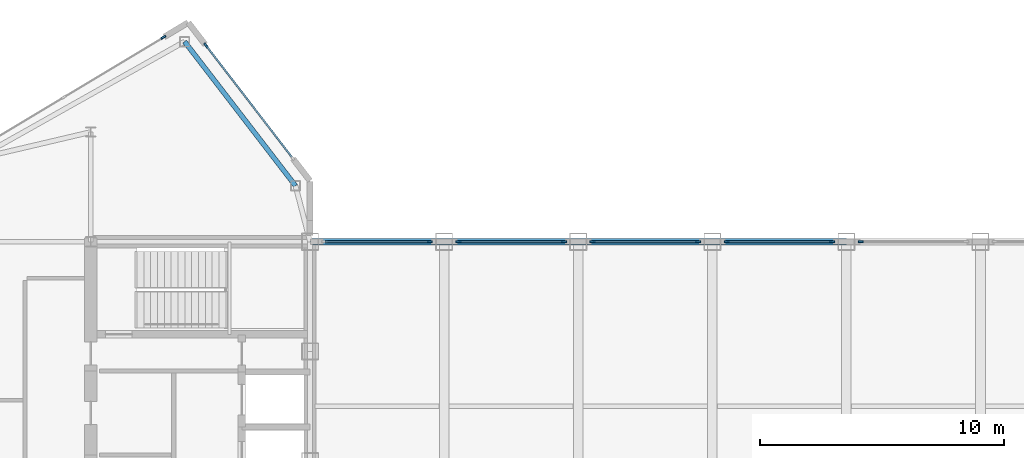
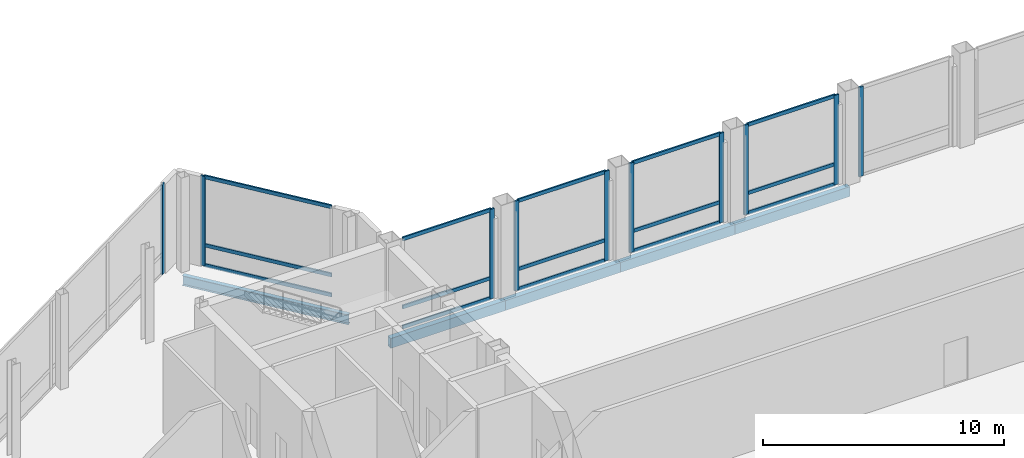
# One storey, part 12 of 29: 25 members, 5 beams, 7 elements without a shape of their own.
"""IFC4 building model written with IfcOpenShell, lengths in metres."""

from ifc_helpers import new_model, si_unit, direction, frame, origin, origin_2d, place, context, subcontext, project, spatial, rectangle, hollow_rectangle, i_section, extrude, source, transform, mapped, material, layer, layer_set, material_profile, profile_set, type_object, type_shapes, element, aggregate, save


model = new_model("IFC4")

# Units and contexts
model_context = context("Model", 3, precision=1e-05, world=origin(), true_north=direction((0.0, 1.0)))
body_context = subcontext(model_context, "Body", "Model", "MODEL_VIEW")
ifc_project = project(units=[si_unit("LENGTHUNIT", "METRE"), si_unit("AREAUNIT", "SQUARE_METRE"), si_unit("VOLUMEUNIT", "CUBIC_METRE"), si_unit("PLANEANGLEUNIT", "RADIAN"), si_unit("MASSUNIT", "GRAM", prefix="KILO")], contexts=[model_context])

# Site, building, storey
site_placement = place(None, origin())
site = spatial("IfcSite", under=ifc_project, at=site_placement, CompositionType="ELEMENT")
building_placement = place(site_placement, origin())
building = spatial("IfcBuilding", under=site, at=building_placement, Name="Seokmaru Belvedere", CompositionType="ELEMENT")
storey_placement = place(building_placement, frame((0.0, 0.0, 269.39990234375)))
storey = spatial("IfcBuildingStorey", under=building, at=storey_placement, Name="L71", CompositionType="ELEMENT", Elevation=269.39990234375)

# Beams
ifc_material_1 = material(Name="Steel SM355 (355 MPa)", Category="steel")
ifc_material_profile_1 = material_profile(ifc_material_1, i_section(OverallWidth=0.199951171875, OverallDepth=0.5, WebThickness=0.010009765625, FlangeThickness=0.01611328125, at=origin_2d()), Name="H-500x200x10x16")
ifc_profile_set_1 = profile_set([ifc_material_profile_1], Name="Steel SM355 (355 MPa)")
beam_type_1 = type_object("IfcBeamType", Name="Perimeter Spandrel Beam H-500", PredefinedType="SPANDREL", material=ifc_profile_set_1)
shared_shape_1 = source(origin(), body_context, "Body", "SweptSolid", [
    extrude(i_section(OverallWidth=0.199951171875, OverallDepth=0.5, WebThickness=0.010009765625, FlangeThickness=0.01611328125, at=origin_2d()), origin(), (0.0, 0.0, 1.0), 7.4619140625),
])
type_shapes(beam_type_1, [shared_shape_1])
beam_placement = place(storey_placement, frame((-32.649658203125, 21.71044921875, -0.510009765625), z_axis=(0.609702854945, -0.792630070507, 0.0), x_axis=(0.792630070507, 0.609702854945, 0.0)))
element("IfcBeam", 1, at=beam_placement, inside=storey, type_object=beam_type_1, Name="L71 W Shoulder Chamfer Spandrel N", PredefinedType="SPANDREL", context=body_context, shape_type="MappedRepresentation", body=[
    mapped(shared_shape_1, transform((0.0, 0.0, 0.0), scale=1.0)),
])
ifc_material_profile_2 = material_profile(ifc_material_1, hollow_rectangle(XDim=0.25, YDim=0.5, WallThickness=0.013916015625, at=origin_2d()), Name="RHS-500x250x14")
ifc_profile_set_2 = profile_set([ifc_material_profile_2], Name="Steel SM355 (355 MPa)")
beam_type_2 = type_object("IfcBeamType", Name="Bridge Edge Spandrel RHS-500", PredefinedType="SPANDREL", material=ifc_profile_set_2)
shared_shape_2 = source(origin(), body_context, "Body", "SweptSolid", [
    extrude(hollow_rectangle(XDim=0.25, YDim=0.5, WallThickness=0.013916015625, at=origin_2d()), origin(), (0.0, 0.0, 1.0), 5.5),
])
type_shapes(beam_type_2, [shared_shape_2])
for number, where, z_axis, x_axis, name in (
    (2, (-27.5, 13.5, -0.510009765625), (1.0, 0.0, 0.0), (0.0, 1.0, 0.0), "L71 Sky-Gate Bridge Edge Girder N-01"),
    (3, (-22.0, 13.5, -0.510009765625), (1.0, 0.0, 0.0), (0.0, 1.0, 0.0), "L71 Sky-Gate Bridge Edge Girder N-02"),
    (4, (-16.5, 13.5, -0.510009765625), (1.0, 0.0, 0.0), (0.0, 1.0, 0.0), "L71 Sky-Gate Bridge Edge Girder N-03"),
    (5, (-11.0, 13.5, -0.510009765625), (1.0, 0.0, 0.0), (0.0, 1.0, 0.0), "L71 Sky-Gate Bridge Edge Girder N-04"),
):
    element("IfcBeam", number, at=place(storey_placement, frame(where, z_axis=z_axis, x_axis=x_axis)), inside=storey, type_object=beam_type_2, Name=name, PredefinedType="SPANDREL", context=body_context, shape_type="MappedRepresentation", body=[
        mapped(shared_shape_2, transform((0.0, 0.0, 0.0), scale=1.0)),
    ])

# Curtain wall, member
ifc_material_2 = material(Name="Bronze Triple Insulating Glass", Category="glass")
ifc_layer = layer(ifc_material_2, 0.219970703125)
ifc_layer_set = layer_set([ifc_layer], Name="Bronze Triple Insulating Glass")
curtain_wall_type = type_object("IfcCurtainWallType", Name="Sky-Gate Bridge Panorama Curtain Wall System CW-6", PredefinedType="NOTDEFINED", material=ifc_layer_set)
curtain_wall_1_placement = place(storey_placement, origin())
curtain_wall_1 = element("IfcCurtainWall", 6, at=curtain_wall_1_placement, inside=storey, type_object=curtain_wall_type, Name="L71 Curtain Wall WF2", PredefinedType="NOTDEFINED")
ifc_material_3 = material(Name="Anodised Bronze Aluminium", Category="aluminium")
ifc_material_profile_3 = material_profile(ifc_material_3, rectangle(XDim=0.080078125, YDim=0.219970703125, at=origin_2d()), Name="CW-M-80x220")
ifc_profile_set_3 = profile_set([ifc_material_profile_3], Name="Anodised Bronze Aluminium")
member_type_1 = type_object("IfcMemberType", Name="Bronze Unitised Mullion 80x220", PredefinedType="MULLION", material=ifc_profile_set_3)
shared_shape_3 = source(origin(), body_context, "Body", "SweptSolid", [
    extrude(rectangle(XDim=0.080078125, YDim=0.219970703125, at=origin_2d()), origin(), (0.0, 0.0, 1.0), 4.5400390625),
])
type_shapes(member_type_1, [shared_shape_3])
member_1_placement = place(storey_placement, frame((-31.7744140625, 21.556884765625, 0.0), z_axis=(0.0, 0.0, 1.0), x_axis=(-0.792631353244, -0.609701187349, 0.0)))
member_1 = element("IfcMember", 7, at=member_1_placement, type_object=member_type_1, Name="CW:L71:WF2 Mullion 2", PredefinedType="MULLION", context=body_context, shape_type="MappedRepresentation", body=[
    mapped(shared_shape_3, transform((0.0, 0.0, 0.0), scale=1.0)),
])

curtain_wall_2_placement = place(storey_placement, origin())
curtain_wall_2 = element("IfcCurtainWall", 8, at=curtain_wall_2_placement, inside=storey, type_object=curtain_wall_type, Name="L71 Curtain Wall WF3", PredefinedType="NOTDEFINED")
member_2_placement = place(storey_placement, frame((-33.5205078125, 21.8876953125, 0.0), z_axis=(0.0, 0.0, 1.0), x_axis=(0.514494909364, -0.85749343335, 0.0)))
member_2 = element("IfcMember", 9, at=member_2_placement, type_object=member_type_1, Name="CW:L71:WF3 Mullion 1", PredefinedType="MULLION", context=body_context, shape_type="MappedRepresentation", body=[
    mapped(shared_shape_3, transform((0.0, 0.0, 0.0), scale=1.0)),
])
aggregate(curtain_wall_2, [member_2])

curtain_wall_3_placement = place(storey_placement, origin())
curtain_wall_3 = element("IfcCurtainWall", 10, at=curtain_wall_3_placement, inside=storey, type_object=curtain_wall_type, Name="L71 Curtain Wall BR_N01", PredefinedType="NOTDEFINED")
member_3_placement = place(storey_placement, frame((-22.590087890625, 13.5, 0.0), z_axis=(0.0, 0.0, 1.0), x_axis=(0.0, -1.0, 0.0)))
member_3 = element("IfcMember", 11, at=member_3_placement, type_object=member_type_1, Name="CW:L71:BR_N01 Mullion 1", PredefinedType="MULLION", context=body_context, shape_type="MappedRepresentation", body=[
    mapped(shared_shape_3, transform((0.0, 0.0, 0.0), scale=1.0)),
])

# Curtain wall, members
curtain_wall_4_placement = place(storey_placement, origin())
curtain_wall_4 = element("IfcCurtainWall", 12, at=curtain_wall_4_placement, inside=storey, type_object=curtain_wall_type, Name="L71 Curtain Wall BR_N02", PredefinedType="NOTDEFINED")
member_4_placement = place(storey_placement, frame((-17.090087890625, 13.5, 0.0), z_axis=(0.0, 0.0, 1.0), x_axis=(0.0, -1.0, 0.0)))
member_4 = element("IfcMember", 13, at=member_4_placement, type_object=member_type_1, Name="CW:L71:BR_N02 Mullion 1", PredefinedType="MULLION", context=body_context, shape_type="MappedRepresentation", body=[
    mapped(shared_shape_3, transform((0.0, 0.0, 0.0), scale=1.0)),
])
member_5_placement = place(storey_placement, frame((-21.409912109375, 13.5, 0.0), z_axis=(0.0, 0.0, 1.0), x_axis=(0.0, -1.0, 0.0)))
member_5 = element("IfcMember", 14, at=member_5_placement, type_object=member_type_1, Name="CW:L71:BR_N02 Mullion 2", PredefinedType="MULLION", context=body_context, shape_type="MappedRepresentation", body=[
    mapped(shared_shape_3, transform((0.0, 0.0, 0.0), scale=1.0)),
])

curtain_wall_5_placement = place(storey_placement, origin())
curtain_wall_5 = element("IfcCurtainWall", 15, at=curtain_wall_5_placement, inside=storey, type_object=curtain_wall_type, Name="L71 Curtain Wall BR_N03", PredefinedType="NOTDEFINED")
member_6_placement = place(storey_placement, frame((-11.590087890625, 13.5, 0.0), z_axis=(0.0, 0.0, 1.0), x_axis=(0.0, -1.0, 0.0)))
member_6 = element("IfcMember", 16, at=member_6_placement, type_object=member_type_1, Name="CW:L71:BR_N03 Mullion 1", PredefinedType="MULLION", context=body_context, shape_type="MappedRepresentation", body=[
    mapped(shared_shape_3, transform((0.0, 0.0, 0.0), scale=1.0)),
])
member_7_placement = place(storey_placement, frame((-15.909912109375, 13.5, 0.0), z_axis=(0.0, 0.0, 1.0), x_axis=(0.0, -1.0, 0.0)))
member_7 = element("IfcMember", 17, at=member_7_placement, type_object=member_type_1, Name="CW:L71:BR_N03 Mullion 2", PredefinedType="MULLION", context=body_context, shape_type="MappedRepresentation", body=[
    mapped(shared_shape_3, transform((0.0, 0.0, 0.0), scale=1.0)),
])

curtain_wall_6_placement = place(storey_placement, origin())
curtain_wall_6 = element("IfcCurtainWall", 18, at=curtain_wall_6_placement, inside=storey, type_object=curtain_wall_type, Name="L71 Curtain Wall BR_N04", PredefinedType="NOTDEFINED")
member_8_placement = place(storey_placement, frame((-6.090087890625, 13.5, 0.0), z_axis=(0.0, 0.0, 1.0), x_axis=(0.0, -1.0, 0.0)))
member_8 = element("IfcMember", 19, at=member_8_placement, type_object=member_type_1, Name="CW:L71:BR_N04 Mullion 1", PredefinedType="MULLION", context=body_context, shape_type="MappedRepresentation", body=[
    mapped(shared_shape_3, transform((0.0, 0.0, 0.0), scale=1.0)),
])
member_9_placement = place(storey_placement, frame((-10.409912109375, 13.5, 0.0), z_axis=(0.0, 0.0, 1.0), x_axis=(0.0, -1.0, 0.0)))
member_9 = element("IfcMember", 20, at=member_9_placement, type_object=member_type_1, Name="CW:L71:BR_N04 Mullion 2", PredefinedType="MULLION", context=body_context, shape_type="MappedRepresentation", body=[
    mapped(shared_shape_3, transform((0.0, 0.0, 0.0), scale=1.0)),
])

# Curtain wall, member
curtain_wall_7_placement = place(storey_placement, origin())
curtain_wall_7 = element("IfcCurtainWall", 21, at=curtain_wall_7_placement, inside=storey, type_object=curtain_wall_type, Name="L71 Curtain Wall BR_N05", PredefinedType="NOTDEFINED")
member_10_placement = place(storey_placement, frame((-4.909912109375, 13.5, 0.0), z_axis=(0.0, 0.0, 1.0), x_axis=(0.0, -1.0, 0.0)))
member_10 = element("IfcMember", 22, at=member_10_placement, type_object=member_type_1, Name="CW:L71:BR_N05 Mullion 2", PredefinedType="MULLION", context=body_context, shape_type="MappedRepresentation", body=[
    mapped(shared_shape_3, transform((0.0, 0.0, 0.0), scale=1.0)),
])
aggregate(curtain_wall_7, [member_10])

# Member
ifc_material_profile_4 = material_profile(ifc_material_3, rectangle(XDim=0.074951171875, YDim=0.179931640625, at=origin_2d()), Name="CW-T-75x180")
ifc_profile_set_4 = profile_set([ifc_material_profile_4], Name="Anodised Bronze Aluminium")
member_type_2 = type_object("IfcMemberType", Name="Bronze Unitised Transom 75x180", PredefinedType="USERDEFINED", material=ifc_profile_set_4)
shared_shape_4 = source(origin(), body_context, "Body", "SweptSolid", [
    extrude(rectangle(XDim=0.074951171875, YDim=0.179931640625, at=origin_2d()), origin(), (0.0, 0.0, 1.0), 5.74072265625),
])
member_11_placement = place(storey_placement, frame((-28.25, 16.974853515625, 0.03759765625), z_axis=(-0.609686097287, 0.792642960465, 0.0), x_axis=(-0.792642960465, -0.609686097287, 0.0)))
member_11 = element("IfcMember", 23, at=member_11_placement, type_object=member_type_2, Name="CW:L71:WF2 Continuous Transom 1", ObjectType="TRANSOM", PredefinedType="USERDEFINED", context=body_context, shape_type="MappedRepresentation", body=[
    mapped(shared_shape_4, transform((0.0, 0.0, 0.0), scale=1.0)),
])

member_12_placement = place(storey_placement, frame((-28.25, 16.974853515625, 4.502685546875), z_axis=(-0.609686097287, 0.792642960465, 0.0), x_axis=(-0.792642960465, -0.609686097287, 0.0)))
member_12 = element("IfcMember", 24, at=member_12_placement, type_object=member_type_2, Name="CW:L71:WF2 Continuous Transom 2", ObjectType="TRANSOM", PredefinedType="USERDEFINED", context=body_context, shape_type="MappedRepresentation", body=[
    mapped(shared_shape_4, transform((0.0, 0.0, 0.0), scale=1.0)),
])

member_13_placement = place(storey_placement, frame((-28.25, 16.974853515625, 1.050048828125), z_axis=(-0.609686097287, 0.792642960465, 0.0), x_axis=(-0.792642960465, -0.609686097287, 0.0)))
member_13 = element("IfcMember", 25, at=member_13_placement, type_object=member_type_2, Name="CW:L71:WF2 Spandrel Transom 1", ObjectType="TRANSOM", PredefinedType="USERDEFINED", context=body_context, shape_type="MappedRepresentation", body=[
    mapped(shared_shape_4, transform((0.0, 0.0, 0.0), scale=1.0)),
])

aggregate(curtain_wall_1, [member_1, member_11, member_12, member_13])

shared_shape_5 = source(origin(), body_context, "Body", "SweptSolid", [
    extrude(rectangle(XDim=0.074951171875, YDim=0.179931640625, at=origin_2d()), origin(), (0.0, 0.0, 1.0), 4.240234375),
])
type_shapes(member_type_2, [shared_shape_4, shared_shape_5])
member_14_placement = place(storey_placement, frame((-22.6298828125, 13.5, 0.03759765625), z_axis=(-1.0, 0.0, 0.0), x_axis=(0.0, -1.0, 0.0)))
member_14 = element("IfcMember", 26, at=member_14_placement, type_object=member_type_2, Name="CW:L71:BR_N01 Continuous Transom 1", ObjectType="TRANSOM", PredefinedType="USERDEFINED", context=body_context, shape_type="MappedRepresentation", body=[
    mapped(shared_shape_5, transform((0.0, 0.0, 0.0), scale=1.0)),
])

member_15_placement = place(storey_placement, frame((-22.6298828125, 13.5, 4.502685546875), z_axis=(-1.0, 0.0, 0.0), x_axis=(0.0, -1.0, 0.0)))
member_15 = element("IfcMember", 27, at=member_15_placement, type_object=member_type_2, Name="CW:L71:BR_N01 Continuous Transom 2", ObjectType="TRANSOM", PredefinedType="USERDEFINED", context=body_context, shape_type="MappedRepresentation", body=[
    mapped(shared_shape_5, transform((0.0, 0.0, 0.0), scale=1.0)),
])

member_16_placement = place(storey_placement, frame((-22.6298828125, 13.5, 1.050048828125), z_axis=(-1.0, 0.0, 0.0), x_axis=(0.0, -1.0, 0.0)))
member_16 = element("IfcMember", 28, at=member_16_placement, type_object=member_type_2, Name="CW:L71:BR_N01 Spandrel Transom 1", ObjectType="TRANSOM", PredefinedType="USERDEFINED", context=body_context, shape_type="MappedRepresentation", body=[
    mapped(shared_shape_5, transform((0.0, 0.0, 0.0), scale=1.0)),
])

aggregate(curtain_wall_3, [member_3, member_14, member_15, member_16])

member_17_placement = place(storey_placement, frame((-17.1298828125, 13.5, 0.03759765625), z_axis=(-1.0, 0.0, 0.0), x_axis=(0.0, -1.0, 0.0)))
member_17 = element("IfcMember", 29, at=member_17_placement, type_object=member_type_2, Name="CW:L71:BR_N02 Continuous Transom 1", ObjectType="TRANSOM", PredefinedType="USERDEFINED", context=body_context, shape_type="MappedRepresentation", body=[
    mapped(shared_shape_5, transform((0.0, 0.0, 0.0), scale=1.0)),
])

member_18_placement = place(storey_placement, frame((-17.1298828125, 13.5, 4.502685546875), z_axis=(-1.0, 0.0, 0.0), x_axis=(0.0, -1.0, 0.0)))
member_18 = element("IfcMember", 30, at=member_18_placement, type_object=member_type_2, Name="CW:L71:BR_N02 Continuous Transom 2", ObjectType="TRANSOM", PredefinedType="USERDEFINED", context=body_context, shape_type="MappedRepresentation", body=[
    mapped(shared_shape_5, transform((0.0, 0.0, 0.0), scale=1.0)),
])

member_19_placement = place(storey_placement, frame((-17.1298828125, 13.5, 1.050048828125), z_axis=(-1.0, 0.0, 0.0), x_axis=(0.0, -1.0, 0.0)))
member_19 = element("IfcMember", 31, at=member_19_placement, type_object=member_type_2, Name="CW:L71:BR_N02 Spandrel Transom 1", ObjectType="TRANSOM", PredefinedType="USERDEFINED", context=body_context, shape_type="MappedRepresentation", body=[
    mapped(shared_shape_5, transform((0.0, 0.0, 0.0), scale=1.0)),
])

aggregate(curtain_wall_4, [member_4, member_5, member_17, member_18, member_19])

member_20_placement = place(storey_placement, frame((-11.6298828125, 13.5, 0.03759765625), z_axis=(-1.0, 0.0, 0.0), x_axis=(0.0, -1.0, 0.0)))
member_20 = element("IfcMember", 32, at=member_20_placement, type_object=member_type_2, Name="CW:L71:BR_N03 Continuous Transom 1", ObjectType="TRANSOM", PredefinedType="USERDEFINED", context=body_context, shape_type="MappedRepresentation", body=[
    mapped(shared_shape_5, transform((0.0, 0.0, 0.0), scale=1.0)),
])

member_21_placement = place(storey_placement, frame((-11.6298828125, 13.5, 4.502685546875), z_axis=(-1.0, 0.0, 0.0), x_axis=(0.0, -1.0, 0.0)))
member_21 = element("IfcMember", 33, at=member_21_placement, type_object=member_type_2, Name="CW:L71:BR_N03 Continuous Transom 2", ObjectType="TRANSOM", PredefinedType="USERDEFINED", context=body_context, shape_type="MappedRepresentation", body=[
    mapped(shared_shape_5, transform((0.0, 0.0, 0.0), scale=1.0)),
])

member_22_placement = place(storey_placement, frame((-11.6298828125, 13.5, 1.050048828125), z_axis=(-1.0, 0.0, 0.0), x_axis=(0.0, -1.0, 0.0)))
member_22 = element("IfcMember", 34, at=member_22_placement, type_object=member_type_2, Name="CW:L71:BR_N03 Spandrel Transom 1", ObjectType="TRANSOM", PredefinedType="USERDEFINED", context=body_context, shape_type="MappedRepresentation", body=[
    mapped(shared_shape_5, transform((0.0, 0.0, 0.0), scale=1.0)),
])

aggregate(curtain_wall_5, [member_6, member_7, member_20, member_21, member_22])

member_23_placement = place(storey_placement, frame((-6.1298828125, 13.5, 0.03759765625), z_axis=(-1.0, 0.0, 0.0), x_axis=(0.0, -1.0, 0.0)))
member_23 = element("IfcMember", 35, at=member_23_placement, type_object=member_type_2, Name="CW:L71:BR_N04 Continuous Transom 1", ObjectType="TRANSOM", PredefinedType="USERDEFINED", context=body_context, shape_type="MappedRepresentation", body=[
    mapped(shared_shape_5, transform((0.0, 0.0, 0.0), scale=1.0)),
])

member_24_placement = place(storey_placement, frame((-6.1298828125, 13.5, 4.502685546875), z_axis=(-1.0, 0.0, 0.0), x_axis=(0.0, -1.0, 0.0)))
member_24 = element("IfcMember", 36, at=member_24_placement, type_object=member_type_2, Name="CW:L71:BR_N04 Continuous Transom 2", ObjectType="TRANSOM", PredefinedType="USERDEFINED", context=body_context, shape_type="MappedRepresentation", body=[
    mapped(shared_shape_5, transform((0.0, 0.0, 0.0), scale=1.0)),
])

member_25_placement = place(storey_placement, frame((-6.1298828125, 13.5, 1.050048828125), z_axis=(-1.0, 0.0, 0.0), x_axis=(0.0, -1.0, 0.0)))
member_25 = element("IfcMember", 37, at=member_25_placement, type_object=member_type_2, Name="CW:L71:BR_N04 Spandrel Transom 1", ObjectType="TRANSOM", PredefinedType="USERDEFINED", context=body_context, shape_type="MappedRepresentation", body=[
    mapped(shared_shape_5, transform((0.0, 0.0, 0.0), scale=1.0)),
])

aggregate(curtain_wall_6, [member_8, member_9, member_23, member_24, member_25])

save(model, "model.ifc")
